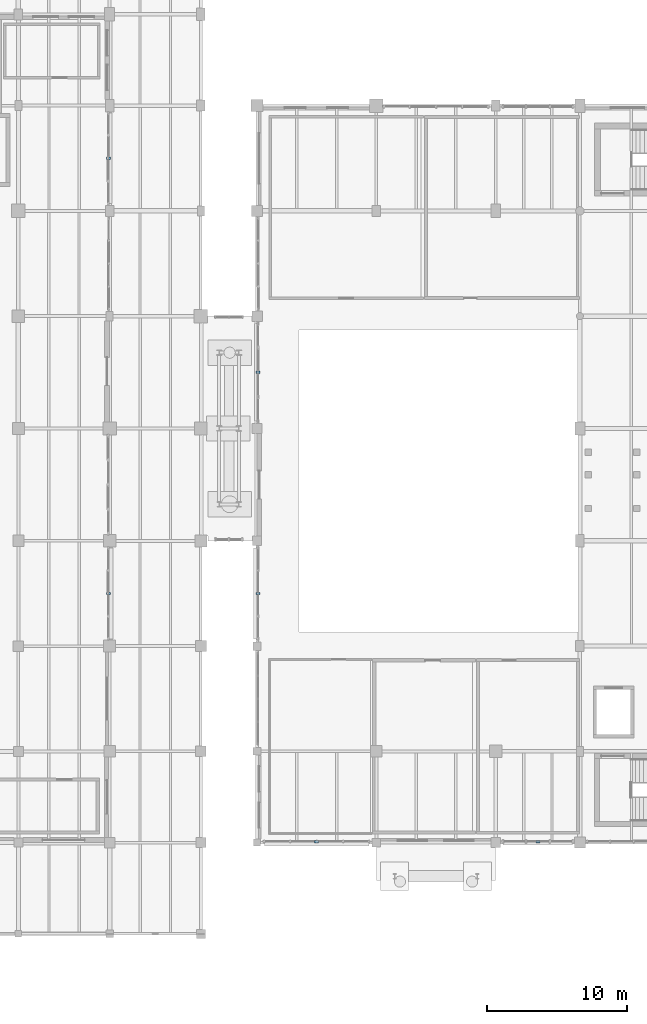
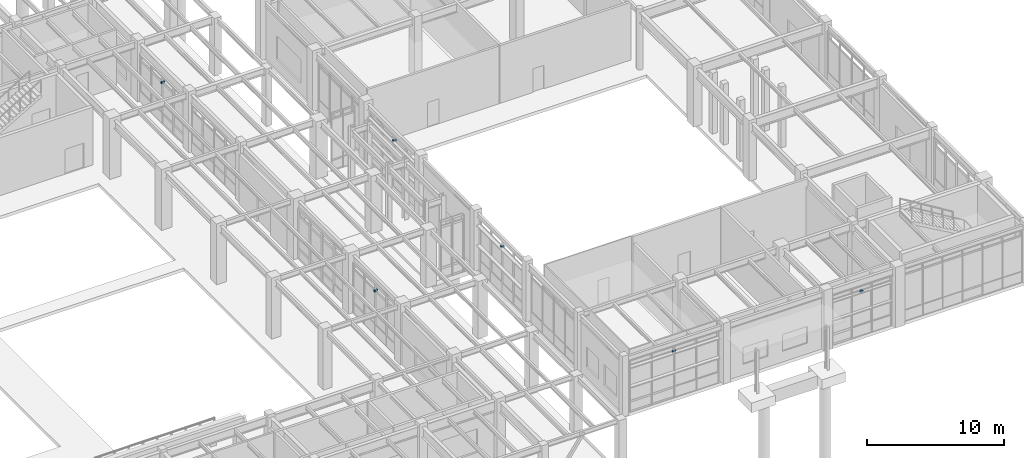
# One storey, part 192 of 203: 6 discrete accessories.
"""IFC4 building model written with IfcOpenShell, lengths in metres."""

from ifc_helpers import new_model, si_unit, direction, frame, origin, origin_2d, place, context, subcontext, project, spatial, rectangle, extrude, material, type_object, element, save


model = new_model("IFC4")

# Units and contexts
model_context = context("Model", 3, precision=1e-05, world=origin(), true_north=direction((0.0, 1.0)))
body_context = subcontext(model_context, "Body", "Model", "MODEL_VIEW")
ifc_project = project(units=[si_unit("LENGTHUNIT", "METRE"), si_unit("AREAUNIT", "SQUARE_METRE"), si_unit("VOLUMEUNIT", "CUBIC_METRE"), si_unit("PLANEANGLEUNIT", "RADIAN"), si_unit("MASSUNIT", "GRAM", prefix="KILO"), si_unit("THERMODYNAMICTEMPERATUREUNIT", "KELVIN"), si_unit("POWERUNIT", "WATT")], contexts=[model_context])

# Site, building, storey
site_placement = place(None, origin())
site = spatial("IfcSite", under=ifc_project, at=site_placement, CompositionType="ELEMENT")
building_placement = place(site_placement, origin())
building = spatial("IfcBuilding", under=site, at=building_placement, Name="Tepalcoro Natatorium and Aquatics Centre", CompositionType="ELEMENT")
storey_placement = place(building_placement, origin())
storey = spatial("IfcBuildingStorey", under=building, at=storey_placement, Name="L00", CompositionType="ELEMENT", Elevation=0.0)

# Discrete accessories
ifc_material_1 = material(Name="Plate Steel ASTM A572 Grade 50 (Fy 345 MPa)", Category="steel")
discrete_accessory_type_1 = type_object("IfcDiscreteAccessoryType", Name="BRK_FACADE_GALV", PredefinedType="BRACKET", material=ifc_material_1)
for number, where, z_axis, x_axis, name in (
    (1, (131.425048828125, 24.25, 3.89599609375), (0.0, 0.0, 1.0), (1.0, 0.0, 0.0), "Solar Shading Outrigger Bracket BRK_FACADE_GALV"),
    (2, (146.25, 6.561279296875, 4.02001953125), (0.0, 0.0, 1.0), (1.0, 0.0, 0.0), "Solar Shading Outrigger Bracket BRK_FACADE_GALV"),
    (3, (142.05615234375, 24.25, 4.06689453125), (0.0, 0.0, 1.0), (1.0, 0.0, 0.0), "Solar Shading Outrigger Bracket BRK_FACADE_GALV"),
):
    element("IfcDiscreteAccessory", number, at=place(storey_placement, frame(where, z_axis=z_axis, x_axis=x_axis)), inside=storey, type_object=discrete_accessory_type_1, Name=name, PredefinedType="BRACKET", context=body_context, shape_type="SweptSolid", body=[
        extrude(rectangle(XDim=0.280029296875, YDim=0.159912109375, at=origin_2d()), origin(), (0.0, 0.0, 1.0), 0.159912109375),
    ])
ifc_material_2 = material(Name="Marine-Grade Brushed Stainless Steel AISI 316L", Category="steel")
discrete_accessory_type_2 = type_object("IfcDiscreteAccessoryType", Name="BRK_SEISMIC_SS", PredefinedType="BRACKET", material=ifc_material_2)
for number, where, z_axis, x_axis, name in (
    (4, (131.425048828125, 55.25, 3.59423828125), (0.0, 0.0, 1.0), (1.0, 0.0, 0.0), "Solar Shading Outrigger Bracket BRK_SEISMIC_SS"),
    (5, (162.0, 6.561279296875, 3.8681640625), (0.0, 0.0, 1.0), (1.0, 0.0, 0.0), "Solar Shading Outrigger Bracket BRK_SEISMIC_SS"),
    (6, (142.05615234375, 40.0, 3.94384765625), (0.0, 0.0, 1.0), (1.0, 0.0, 0.0), "Solar Shading Outrigger Bracket BRK_SEISMIC_SS"),
):
    element("IfcDiscreteAccessory", number, at=place(storey_placement, frame(where, z_axis=z_axis, x_axis=x_axis)), inside=storey, type_object=discrete_accessory_type_2, Name=name, PredefinedType="BRACKET", context=body_context, shape_type="SweptSolid", body=[
        extrude(rectangle(XDim=0.280029296875, YDim=0.159912109375, at=origin_2d()), origin(), (0.0, 0.0, 1.0), 0.159912109375),
    ])

save(model, "model.ifc")
